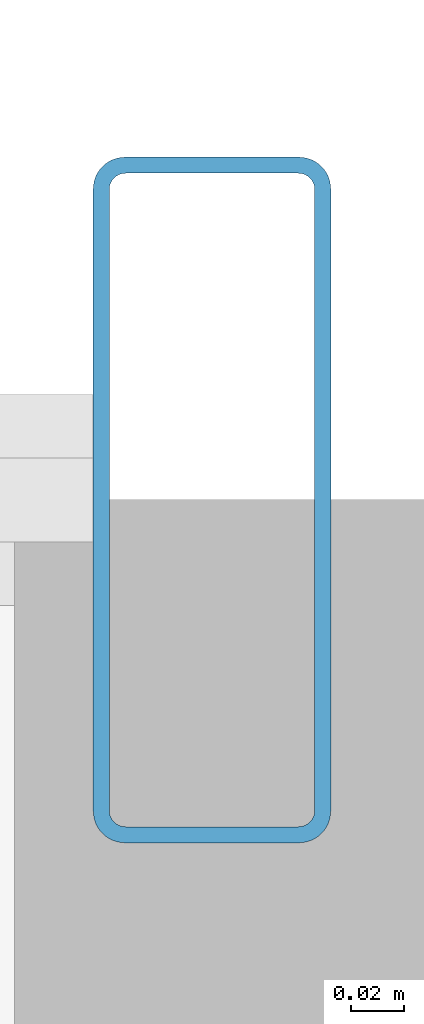
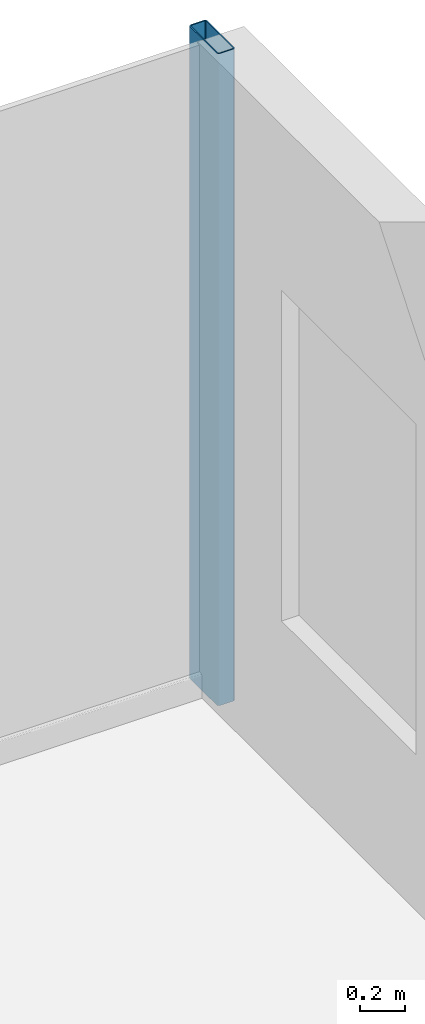
# One storey, part 14 of 26: 1 member, 1 element without a shape of its own.
"""IFC4 building model written with IfcOpenShell, lengths in metres."""

from ifc_helpers import new_model, si_unit, direction, frame, origin, origin_2d, place, context, subcontext, project, spatial, hollow_rectangle, extrude, source, transform, mapped, material, layer, layer_set, material_profile, profile_set, type_object, element, aggregate, save


model = new_model("IFC4")

# Units and contexts
model_context = context("Model", 3, precision=1e-05, world=origin(), true_north=direction((0.0, 1.0)))
body_context = subcontext(model_context, "Body", "Model", "MODEL_VIEW")
ifc_project = project(units=[si_unit("LENGTHUNIT", "METRE"), si_unit("AREAUNIT", "SQUARE_METRE"), si_unit("VOLUMEUNIT", "CUBIC_METRE"), si_unit("PLANEANGLEUNIT", "RADIAN"), si_unit("MASSUNIT", "GRAM", prefix="KILO")], contexts=[model_context])

# Site, building, storey
site_placement = place(None, origin())
site = spatial("IfcSite", under=ifc_project, at=site_placement, CompositionType="ELEMENT")
building_placement = place(site_placement, origin())
building = spatial("IfcBuilding", under=site, at=building_placement, Name="Nefas-Gora Pilgrimage Tower", CompositionType="ELEMENT")
storey_placement = place(building_placement, frame((0.0, 0.0, 36.800048828125)))
storey = spatial("IfcBuildingStorey", under=building, at=storey_placement, Name="L07", CompositionType="ELEMENT", Elevation=36.800048828125)

# Curtain wall, member
ifc_material_1 = material(Name="Dark ceramic-fritted solar-control aluminium-glass curtain wall", Category="aluminium")
ifc_layer = layer(ifc_material_1, 0.219970703125)
ifc_layer_set = layer_set([ifc_layer], Name="Dark ceramic-fritted solar-control aluminium-glass curtain wall")
curtain_wall_type = type_object("IfcCurtainWallType", Name="CW-SYS-2", PredefinedType="NOTDEFINED", material=ifc_layer_set)
curtain_wall_placement = place(storey_placement, origin())
curtain_wall = element("IfcCurtainWall", 1, at=curtain_wall_placement, inside=storey, type_object=curtain_wall_type, Name="L07 Unitised Curtain Wall CW2", PredefinedType="NOTDEFINED")
ifc_material_2 = material(Name="Anodised architectural aluminium", Category="aluminium")
ifc_material_profile = material_profile(ifc_material_2, hollow_rectangle(XDim=0.090087890625, YDim=0.260009765625, WallThickness=0.006103515625, InnerFilletRadius=0.006103515625, OuterFilletRadius=0.011962890625, at=origin_2d()), Name="ALU MULLION 90x260")
ifc_profile_set = profile_set([ifc_material_profile], Name="Anodised architectural aluminium")
member_type = type_object("IfcMemberType", Name="CWM-MUL-2", PredefinedType="MULLION", material=ifc_profile_set)
shared_shape = source(origin(), body_context, "Body", "SweptSolid", [
    extrude(hollow_rectangle(XDim=0.090087890625, YDim=0.260009765625, WallThickness=0.006103515625, InnerFilletRadius=0.006103515625, OuterFilletRadius=0.011962890625, at=origin_2d()), origin(), (0.0, 0.0, 1.0), 3.550048828125),
])
member_placement = place(storey_placement, frame((28.824951171875, 23.02001953125, 0.0), z_axis=(0.0, 0.0, 1.0), x_axis=(-1.0, 0.0, 0.0)))
member = element("IfcMember", 2, at=member_placement, type_object=member_type, Name="CW2 Mullion 1", PredefinedType="MULLION", context=body_context, shape_type="MappedRepresentation", body=[
    mapped(shared_shape, transform((0.0, 0.0, 0.0), x_axis=(1.0, 0.0, 0.0), y_axis=(0.0, 1.0, 0.0), z_axis=(0.0, 0.0, 1.0), scale=1.0)),
])
aggregate(curtain_wall, [member])

save(model, "model.ifc")
